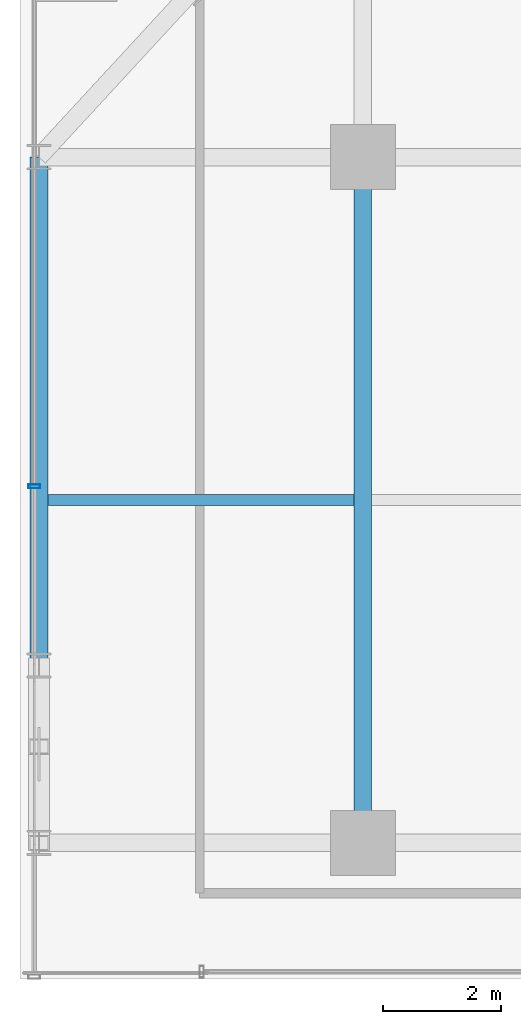
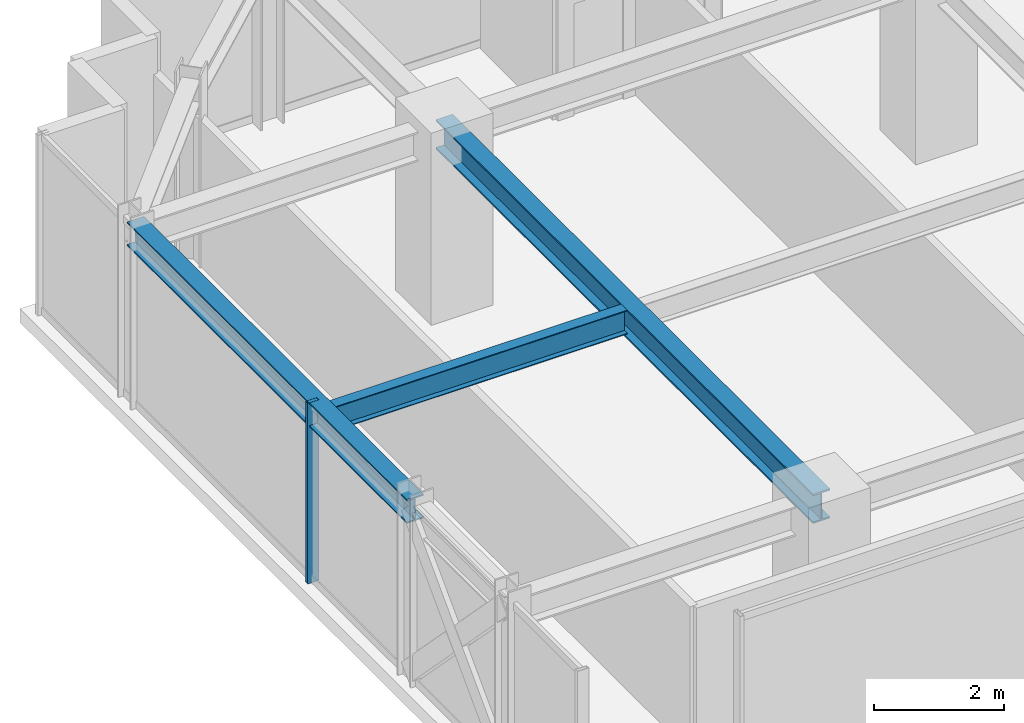
# One storey, part 19 of 38: 3 beams, 1 member, 1 element without a shape of its own.
"""IFC4 building model written with IfcOpenShell, lengths in metres."""

from ifc_helpers import new_model, si_unit, direction, frame, origin, origin_2d, place, context, subcontext, project, spatial, hollow_rectangle, i_section, extrude, source, transform, mapped, material, material_profile, profile_set, type_object, element, aggregate, save


model = new_model("IFC4")

# Units and contexts
model_context = context("Model", 3, precision=1e-05, world=origin(), true_north=direction((0.0, 1.0)))
body_context = subcontext(model_context, "Body", "Model", "MODEL_VIEW")
ifc_project = project(units=[si_unit("LENGTHUNIT", "METRE"), si_unit("AREAUNIT", "SQUARE_METRE"), si_unit("VOLUMEUNIT", "CUBIC_METRE"), si_unit("PLANEANGLEUNIT", "RADIAN"), si_unit("MASSUNIT", "GRAM", prefix="KILO")], contexts=[model_context])

# Site, building, storey
site_placement = place(None, origin())
site = spatial("IfcSite", under=ifc_project, at=site_placement, CompositionType="ELEMENT")
building_placement = place(site_placement, origin())
building = spatial("IfcBuilding", under=site, at=building_placement, Name="Nahalor Promenade Grand Hotel", CompositionType="ELEMENT")
storey_placement = place(building_placement, frame((0.0, 0.0, 178.199951171875)))
storey = spatial("IfcBuildingStorey", under=building, at=storey_placement, Name="L45", CompositionType="ELEMENT", Elevation=178.199951171875)

# Beams
ifc_material_1 = material(Name="Steel S355JR", Category="steel")
ifc_material_profile_1 = material_profile(ifc_material_1, i_section(OverallWidth=0.3, OverallDepth=0.55, WebThickness=0.015, FlangeThickness=0.029, at=origin_2d()), Name="HEB 550")
ifc_profile_set_1 = profile_set([ifc_material_profile_1], Name="Steel S355JR")
beam_type_1 = type_object("IfcBeamType", Name="Beam-Girder-HEB550", PredefinedType="BEAM", material=ifc_profile_set_1)
shared_shape_1 = source(origin(), body_context, "Body", "SweptSolid", [
    extrude(i_section(OverallWidth=0.3, OverallDepth=0.55, WebThickness=0.015, FlangeThickness=0.029, at=origin_2d()), origin(), (0.0, 0.0, 1.0), 11.60009765625),
])
beam_1_placement = place(storey_placement, frame((-17.0, 5.39990234375, 3.114990234375), z_axis=(0.0, 1.0, 0.0), x_axis=(-1.0, 0.0, 0.0)))
element("IfcBeam", 1, at=beam_1_placement, inside=storey, type_object=beam_type_1, Name="BM-L45-GY-0-3", PredefinedType="BEAM", context=body_context, shape_type="MappedRepresentation", body=[
    mapped(shared_shape_1, transform((0.0, 0.0, 0.0), scale=1.0)),
])
ifc_material_profile_2 = material_profile(ifc_material_1, i_section(OverallWidth=0.19, OverallDepth=0.45, WebThickness=0.0094, FlangeThickness=0.0146, at=origin_2d()), Name="IPE 450")
ifc_profile_set_2 = profile_set([ifc_material_profile_2], Name="Steel S355JR")
beam_type_2 = type_object("IfcBeamType", Name="Beam-Joist-IPE450", PredefinedType="JOIST", material=ifc_profile_set_2)
shared_shape_2 = source(origin(), body_context, "Body", "SweptSolid", [
    extrude(i_section(OverallWidth=0.19, OverallDepth=0.45, WebThickness=0.0094, FlangeThickness=0.0146, at=origin_2d()), origin(), (0.0, 0.0, 1.0), 5.18017578125),
])
beam_2_placement = place(storey_placement, frame((-22.330078125, 11.199951171875, 3.1650390625), z_axis=(1.0, 0.0, 0.0), x_axis=(0.0, 1.0, 0.0)))
element("IfcBeam", 2, at=beam_2_placement, inside=storey, type_object=beam_type_2, Name="BM-L45-JSW-1-0", PredefinedType="JOIST", context=body_context, shape_type="MappedRepresentation", body=[
    mapped(shared_shape_2, transform((0.0, 0.0, 0.0), scale=1.0)),
])
ifc_material_profile_3 = material_profile(ifc_material_1, i_section(OverallWidth=0.3, OverallDepth=0.45, WebThickness=0.014, FlangeThickness=0.026, at=origin_2d()), Name="HEB 450")
ifc_profile_set_3 = profile_set([ifc_material_profile_3], Name="Steel S355JR")
beam_type_3 = type_object("IfcBeamType", Name="Beam-Spandrel-HEB450", PredefinedType="SPANDREL", material=ifc_profile_set_3)
shared_shape_3 = source(origin(), body_context, "Body", "SweptSolid", [
    extrude(i_section(OverallWidth=0.3, OverallDepth=0.45, WebThickness=0.014, FlangeThickness=0.026, at=origin_2d()), origin(), (0.0, 0.0, 1.0), 8.60009765625),
])
beam_3_placement = place(storey_placement, frame((-22.47998046875, 8.39990234375, 3.1650390625), z_axis=(0.0, 1.0, 0.0), x_axis=(-1.0, 0.0, 0.0)))
element("IfcBeam", 3, at=beam_3_placement, inside=storey, type_object=beam_type_3, Name="BM-L45-SP-W-4", PredefinedType="SPANDREL", context=body_context, shape_type="MappedRepresentation", body=[
    mapped(shared_shape_3, transform((0.0, 0.0, 0.0), scale=1.0)),
])

# Curtain wall, member
ifc_material_2 = material(Name="Anodised Bronze Aluminium EN AW-6063 T6", Category="aluminium")
curtain_wall_type = type_object("IfcCurtainWallType", Name="CW3 Elliptical-Void Collar Unitised Curtain Wall", PredefinedType="USERDEFINED", material=ifc_material_2)
curtain_wall_placement = place(storey_placement, origin())
curtain_wall = element("IfcCurtainWall", 4, at=curtain_wall_placement, inside=storey, type_object=curtain_wall_type, Name="L45 Curtain Wall CW-L45-W-2", ObjectType="UNITISED_CURTAIN_WALL", PredefinedType="USERDEFINED")
ifc_material_profile_4 = material_profile(ifc_material_2, hollow_rectangle(XDim=0.07, YDim=0.2, WallThickness=0.005, at=origin_2d()), Name="CWM 70x200x5")
ifc_profile_set_4 = profile_set([ifc_material_profile_4], Name="Anodised Bronze Aluminium EN AW-6063 T6")
member_type = type_object("IfcMemberType", Name="CWM3 Void Collar Mullion 70x200", PredefinedType="MULLION", material=ifc_profile_set_4)
shared_shape_4 = source(origin(), body_context, "Body", "SweptSolid", [
    extrude(hollow_rectangle(XDim=0.07, YDim=0.2, WallThickness=0.005, at=origin_2d()), origin(), (0.0, 0.0, 1.0), 3.39013671875),
])
member_placement = place(storey_placement, frame((-22.56005859375, 11.429931640625, 0.0), z_axis=(0.0, 0.0, 1.0), x_axis=(0.0, 1.0, 0.0)))
member = element("IfcMember", 5, at=member_placement, type_object=member_type, Name="CW-L45-W-2 Mullion 1", PredefinedType="MULLION", context=body_context, shape_type="MappedRepresentation", body=[
    mapped(shared_shape_4, transform((0.0, 0.0, 0.0), scale=1.0)),
])
aggregate(curtain_wall, [member])

save(model, "model.ifc")
